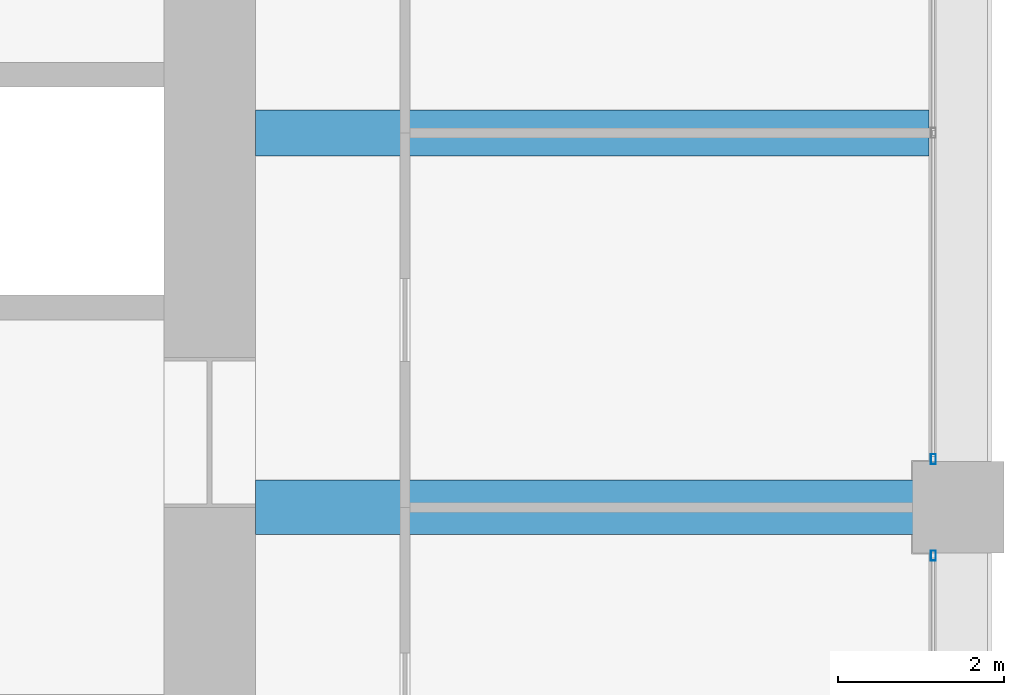
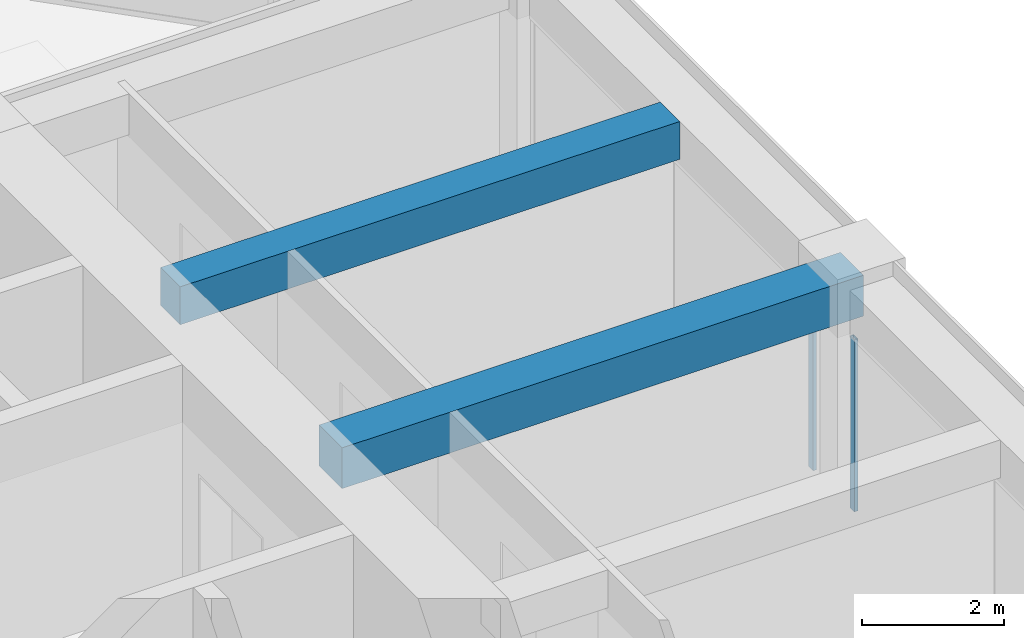
# One storey, part 26 of 45: 2 beams, 2 members, 2 elements without a shape of their own.
"""IFC4 building model written with IfcOpenShell, lengths in metres."""

import ifcopenshell
import ifcopenshell.guid

model = None  # the IFC model being written
_history = None  # IfcOwnerHistory: only IFC2X3 demands one
_inside = {}  # id of a spatial element -> (the spatial element, [elements in it])
_under = {}  # id of a project, library or spatial element -> (it, [spatial elements below it])
_declared = {}  # id of a project -> (the project, [libraries it declares])
_typed = {}  # id of a type object -> (the type object, [elements of that type])
_made_of = {}  # id of a material, layer set ... -> (it, [elements and type objects made of it])


def new_model(schema):
    """Start an empty IFC model of exactly this schema.

    Asked for "IFC4X3", IfcOpenShell would pick the latest addendum, in which some entities
    have other attributes; the version numbers below select the first issue.
    IFC2X3 requires an IfcOwnerHistory on every rooted entity: one is made here for all.
    """
    global model, _history
    if schema == "IFC4X3":
        model = ifcopenshell.file(schema_version=(4, 3, 0, 0))
    else:
        model = ifcopenshell.file(schema=schema)
    _inside.clear()
    _under.clear()
    _declared.clear()
    _typed.clear()
    _made_of.clear()
    _history = None
    if model.schema == "IFC2X3":
        org = make("IfcOrganization", Name="unknown")
        user = make(
            "IfcPersonAndOrganization",
            ThePerson=make("IfcPerson", FamilyName="unknown"),
            TheOrganization=org,
        )
        app = make(
            "IfcApplication",
            ApplicationDeveloper=org,
            Version="unknown",
            ApplicationFullName="unknown",
            ApplicationIdentifier="unknown",
        )
        _history = make(
            "IfcOwnerHistory",
            OwningUser=user,
            OwningApplication=app,
            ChangeAction="ADDED",
            CreationDate=0,
        )
    return model


def make(cls, **values):
    """One entity of the class cls with the attributes given. An attribute that is None is left unset."""
    return model.create_entity(
        cls, **{name: value for name, value in values.items() if value is not None}
    )


def rooted(cls, **values):
    """An entity with a GlobalId (a new one), such as an element, a storey or a relation."""
    return make(cls, GlobalId=ifcopenshell.guid.new(), OwnerHistory=_history, **values)


def si_unit(unit_type, name, prefix=None):
    """IfcSIUnit, for example si_unit("LENGTHUNIT", "METRE", prefix="MILLI")."""
    return make("IfcSIUnit", UnitType=unit_type, Prefix=prefix, Name=name)


def assignment(units):
    """IfcUnitAssignment: the units of a project."""
    return None if units is None else make("IfcUnitAssignment", Units=units)


def point(xyz):
    """IfcCartesianPoint."""
    return None if xyz is None else make("IfcCartesianPoint", Coordinates=xyz)


def direction(xyz):
    """IfcDirection."""
    return None if xyz is None else make("IfcDirection", DirectionRatios=xyz)


def frame(location, z_axis=None, x_axis=None):
    """IfcAxis2Placement3D, a coordinate frame: its origin and axes. An axis left out is left unset."""
    return make(
        "IfcAxis2Placement3D",
        Location=point(location),
        Axis=direction(z_axis),
        RefDirection=direction(x_axis),
    )


def frame_2d(location, x_axis=None):
    """IfcAxis2Placement2D, a coordinate frame in the plane: its origin and x axis."""
    return make(
        "IfcAxis2Placement2D", Location=point(location), RefDirection=direction(x_axis)
    )


def origin():
    """The frame at (0, 0, 0) with its axes left unset."""
    return frame((0.0, 0.0, 0.0))


def origin_2d():
    """The frame at (0, 0) in the plane with its x axis left unset."""
    return frame_2d((0.0, 0.0))


def place(relative_to, where):
    """IfcLocalPlacement: puts the frame where relative to a parent placement (None: the world)."""
    return make(
        "IfcLocalPlacement", PlacementRelTo=relative_to, RelativePlacement=where
    )


def context(
    kind, dimensions, precision=None, world=None, true_north=None, identifier=None
):
    """IfcGeometricRepresentationContext, for example the 3D "Model" context."""
    return make(
        "IfcGeometricRepresentationContext",
        ContextIdentifier=identifier,
        ContextType=kind,
        CoordinateSpaceDimension=dimensions,
        Precision=precision,
        WorldCoordinateSystem=world,
        TrueNorth=true_north,
    )


def subcontext(parent, identifier, kind, view, scale=None):
    """IfcGeometricRepresentationSubContext, for example "Body" below "Model"."""
    return make(
        "IfcGeometricRepresentationSubContext",
        ContextIdentifier=identifier,
        ContextType=kind,
        ParentContext=parent,
        TargetScale=scale,
        TargetView=view,
    )


def project(units=None, contexts=None):
    """IfcProject with its units and contexts."""
    return rooted(
        "IfcProject",
        Name="project",
        RepresentationContexts=contexts,
        UnitsInContext=assignment(units),
    )


def spatial(cls, under=None, at=None, **own):
    """A site, building, storey or space (cls), placed at a placement, below another one or the project."""
    s = rooted(cls, ObjectPlacement=at, **own)
    if under is not None:
        _under.setdefault(under.id(), (under, []))[1].append(s)
    return s


def profile(cls, at=None, kind="AREA", **sizes):
    """A parametric profile (cls). Its sizes go by their IFC names, for example OverallWidth=200.0."""
    return make(cls, ProfileType=kind, Position=at, **sizes)


def rectangle(**sizes):
    """IfcRectangleProfileDef."""
    return profile("IfcRectangleProfileDef", **sizes)


def hollow_rectangle(**sizes):
    """IfcRectangleHollowProfileDef."""
    return profile("IfcRectangleHollowProfileDef", **sizes)


def extrude(swept, where, along, depth):
    """IfcExtrudedAreaSolid: the profile swept, set in the frame where, extruded along a direction by depth."""
    return make(
        "IfcExtrudedAreaSolid",
        SweptArea=swept,
        Position=where,
        ExtrudedDirection=direction(along),
        Depth=depth,
    )


def shape(context_of_items, identifier, shape_type, items):
    """IfcShapeRepresentation: the items that make up one representation, for example the "Body"."""
    return make(
        "IfcShapeRepresentation",
        ContextOfItems=context_of_items,
        RepresentationIdentifier=identifier,
        RepresentationType=shape_type,
        Items=items,
    )


def material(Name=None, Category=None):
    """IfcMaterial."""
    return make("IfcMaterial", Name=Name, Category=Category)


def material_profile(
    of_material, cross_section, Name=None, Category=None, Priority=None
):
    """IfcMaterialProfile: a cross section and its material."""
    return make(
        "IfcMaterialProfile",
        Name=Name,
        Material=of_material,
        Profile=cross_section,
        Priority=Priority,
        Category=Category,
    )


def profile_set(profiles, Name=None, composite=None):
    """IfcMaterialProfileSet."""
    return make(
        "IfcMaterialProfileSet",
        Name=Name,
        MaterialProfiles=profiles,
        CompositeProfile=composite,
    )


def made_of(thing, what):
    """Note that an element or type object is made of a material, layer set ...; save() writes the relation."""
    if what is not None:
        _made_of.setdefault(what.id(), (what, []))[1].append(thing)
    return thing


def type_object(cls, material=None, **own):
    """A type object (cls), such as IfcWallType, which elements share."""
    return made_of(rooted(cls, **own), material)


def element(
    cls,
    number,
    at=None,
    inside=None,
    cuts=None,
    type_object=None,
    material=None,
    context=None,
    identifier="Body",
    shape_type=None,
    held_by="IfcProductDefinitionShape",
    body=None,
    shapes=None,
    **own,
):
    """One element of the class cls, such as IfcWall. Its Tag is "e" and its number.

    at: its placement. inside: the storey or other place that contains it. cuts: it is an
    opening in that element (IfcRelVoidsElement). A single representation is given by context,
    identifier, shape_type and body (its items); several are given by shapes. held_by: the class
    of the entity that holds the representations. save() writes the other relations.
    """
    e = rooted(cls, Tag="e%d" % number, ObjectPlacement=at, **own)
    if body is not None:
        shapes = [shape(context, identifier, shape_type, body)]
    if shapes is not None:
        e.Representation = make(held_by, Representations=shapes)
    if inside is not None:
        _inside.setdefault(inside.id(), (inside, []))[1].append(e)
    if cuts is not None:
        rooted(
            "IfcRelVoidsElement", RelatingBuildingElement=cuts, RelatedOpeningElement=e
        )
    if type_object is not None:
        _typed.setdefault(type_object.id(), (type_object, []))[1].append(e)
    return made_of(e, material)


def aggregate(whole, parts):
    """IfcRelAggregates: a whole, such as a stair, and the parts it consists of."""
    return rooted("IfcRelAggregates", RelatingObject=whole, RelatedObjects=parts)


def save(model, path):
    """Write the relations noted so far, then the file.

    IfcRelAggregates (storeys below a building ...), IfcRelContainedInSpatialStructure (elements
    in a storey), IfcRelDefinesByType, IfcRelAssociatesMaterial and IfcRelDeclares: one each for
    every whole, place, type object, material and project.
    """
    for whole, parts in _under.values():
        aggregate(whole, parts)
    for where, things in _inside.values():
        rooted(
            "IfcRelContainedInSpatialStructure",
            RelatedElements=things,
            RelatingStructure=where,
        )
    for kind, things in _typed.values():
        rooted("IfcRelDefinesByType", RelatedObjects=things, RelatingType=kind)
    for what, things in _made_of.values():
        rooted("IfcRelAssociatesMaterial", RelatedObjects=things, RelatingMaterial=what)
    for by, libraries in _declared.values():
        rooted("IfcRelDeclares", RelatingContext=by, RelatedDefinitions=libraries)
    model.write(path)


model = new_model("IFC4")

# Units and contexts
model_context = context("Model", 3, precision=1e-05, world=origin(), true_north=direction((0.0, 1.0)))
body_context = subcontext(model_context, "Body", "Model", "MODEL_VIEW")
ifc_project = project(units=[si_unit("LENGTHUNIT", "METRE"), si_unit("AREAUNIT", "SQUARE_METRE"), si_unit("VOLUMEUNIT", "CUBIC_METRE"), si_unit("PLANEANGLEUNIT", "RADIAN"), si_unit("MASSUNIT", "GRAM", prefix="KILO")], contexts=[model_context])

# Site, building, storey
site_placement = place(None, origin())
site = spatial("IfcSite", under=ifc_project, at=site_placement, CompositionType="ELEMENT")
building_placement = place(site_placement, origin())
building = spatial("IfcBuilding", under=site, at=building_placement, Name="Zorevar Civic Tower", CompositionType="ELEMENT")
storey_placement = place(building_placement, frame((0.0, 0.0, 279.39990234375)))
storey = spatial("IfcBuildingStorey", under=building, at=storey_placement, Name="L68", CompositionType="ELEMENT", Elevation=279.39990234375)

# Beams
ifc_material_1 = material(Name="Concrete C50/60", Category="concrete")
ifc_material_profile_1 = material_profile(ifc_material_1, rectangle(XDim=0.550048828125, YDim=0.64990234375, at=origin_2d()), Name="RC 550x650")
ifc_profile_set_1 = profile_set([ifc_material_profile_1], Name="Concrete C50/60")
beam_type_1 = type_object("IfcBeamType", Name="Beam RC 550x650", PredefinedType="BEAM", material=ifc_profile_set_1)
beam_1_placement = place(storey_placement, frame((45.550048828125, 31.5, 3.425048828125), z_axis=(1.0, 0.0, 0.0), x_axis=(0.0, 1.0, 0.0)))
element("IfcBeam", 1, at=beam_1_placement, inside=storey, type_object=beam_type_1, Name="Secondary beam L69", PredefinedType="BEAM", context=body_context, shape_type="SweptSolid", body=[
    extrude(rectangle(XDim=0.550048828125, YDim=0.64990234375, at=origin_2d()), origin(), (0.0, 0.0, 1.0), 8.099853515625),
])
ifc_material_2 = material(Name="Concrete C50/60", Category="concrete")
ifc_material_profile_2 = material_profile(ifc_material_2, rectangle(XDim=0.64990234375, YDim=0.699951171875, at=origin_2d()), Name="RC 650x700")
ifc_profile_set_2 = profile_set([ifc_material_profile_2], Name="Concrete C50/60")
beam_type_2 = type_object("IfcBeamType", Name="Beam RC 650x700", PredefinedType="BEAM", material=ifc_profile_set_2)
beam_2_placement = place(storey_placement, frame((45.550048828125, 27.0, 3.400146484375), z_axis=(1.0, 0.0, 0.0), x_axis=(0.0, 1.0, 0.0)))
element("IfcBeam", 2, at=beam_2_placement, inside=storey, type_object=beam_type_2, Name="Girder L69", PredefinedType="BEAM", context=body_context, shape_type="SweptSolid", body=[
    extrude(rectangle(XDim=0.64990234375, YDim=0.699951171875, at=origin_2d()), origin(), (0.0, 0.0, 1.0), 8.449951171875),
])

# Curtain wall, member
ifc_material_3 = material(Name="Dark grey solar-control glass in black aluminium frame", Category="aluminium")
curtain_wall_type = type_object("IfcCurtainWallType", Name="Curtain wall CW5 top zone", PredefinedType="NOTDEFINED", material=ifc_material_3)
curtain_wall_1_placement = place(storey_placement, origin())
curtain_wall_1 = element("IfcCurtainWall", 3, at=curtain_wall_1_placement, inside=storey, type_object=curtain_wall_type, Name="CW5 L68", PredefinedType="NOTDEFINED")
ifc_material_4 = material(Name="Aluminium, black anodised", Category="aluminium")
ifc_material_profile_3 = material_profile(ifc_material_4, hollow_rectangle(XDim=0.06005859375, YDim=0.1201171875, WallThickness=0.0029296875, at=origin_2d()), Name="AL 120x60x3")
ifc_profile_set_3 = profile_set([ifc_material_profile_3], Name="Aluminium, black anodised")
member_type = type_object("IfcMemberType", Name="CW5 mullion AL 120x60x3", PredefinedType="MULLION", material=ifc_profile_set_3)
member_1_placement = place(storey_placement, frame((53.699951171875, 26.419921875, 0.0), z_axis=(0.0, 0.0, 1.0), x_axis=(-1.0, 0.0, 0.0)))
member_1 = element("IfcMember", 4, at=member_1_placement, type_object=member_type, Name="CW5 mullion 3", PredefinedType="MULLION", context=body_context, shape_type="SweptSolid", body=[
    extrude(hollow_rectangle(XDim=0.06005859375, YDim=0.1201171875, WallThickness=0.0029296875, at=origin_2d()), origin(), (0.0, 0.0, 1.0), 2.9501953125),
])
aggregate(curtain_wall_1, [member_1])

curtain_wall_2_placement = place(storey_placement, origin())
curtain_wall_2 = element("IfcCurtainWall", 5, at=curtain_wall_2_placement, inside=storey, type_object=curtain_wall_type, Name="CW5 L68", PredefinedType="NOTDEFINED")
member_2_placement = place(storey_placement, frame((53.699951171875, 27.580078125, 0.0), z_axis=(0.0, 0.0, 1.0), x_axis=(-1.0, 0.0, 0.0)))
member_2 = element("IfcMember", 6, at=member_2_placement, type_object=member_type, Name="CW5 mullion 1", PredefinedType="MULLION", context=body_context, shape_type="SweptSolid", body=[
    extrude(hollow_rectangle(XDim=0.06005859375, YDim=0.1201171875, WallThickness=0.0029296875, at=origin_2d()), origin(), (0.0, 0.0, 1.0), 2.9501953125),
])
aggregate(curtain_wall_2, [member_2])

save(model, "model.ifc")
